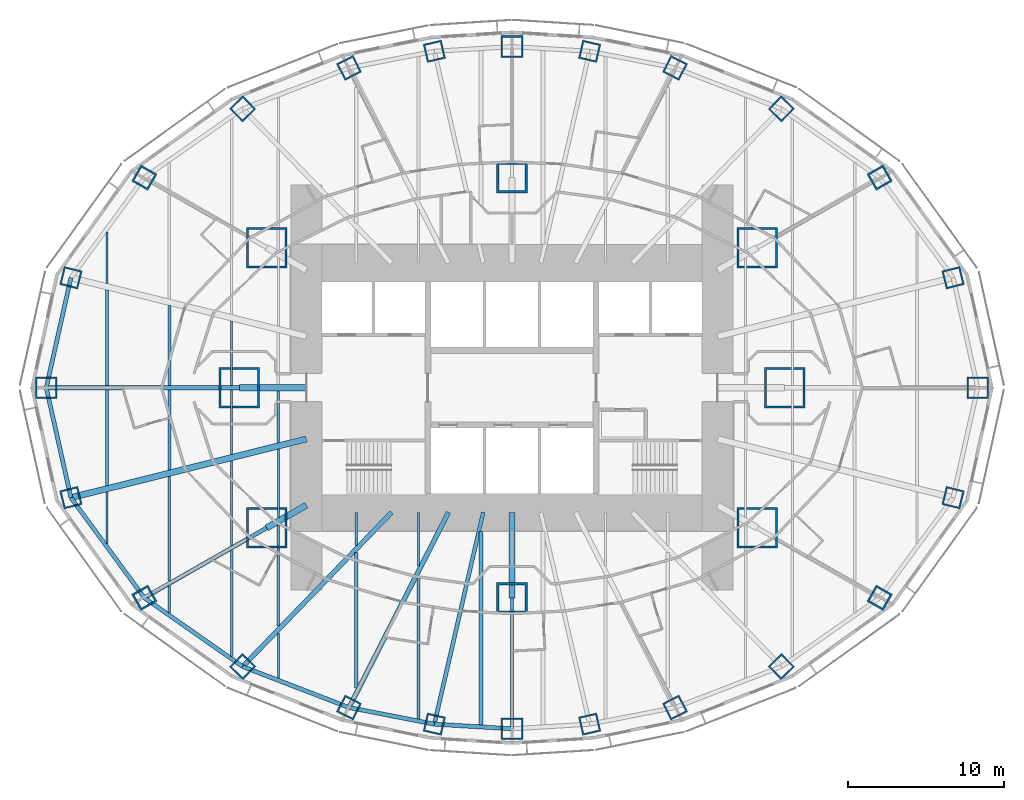
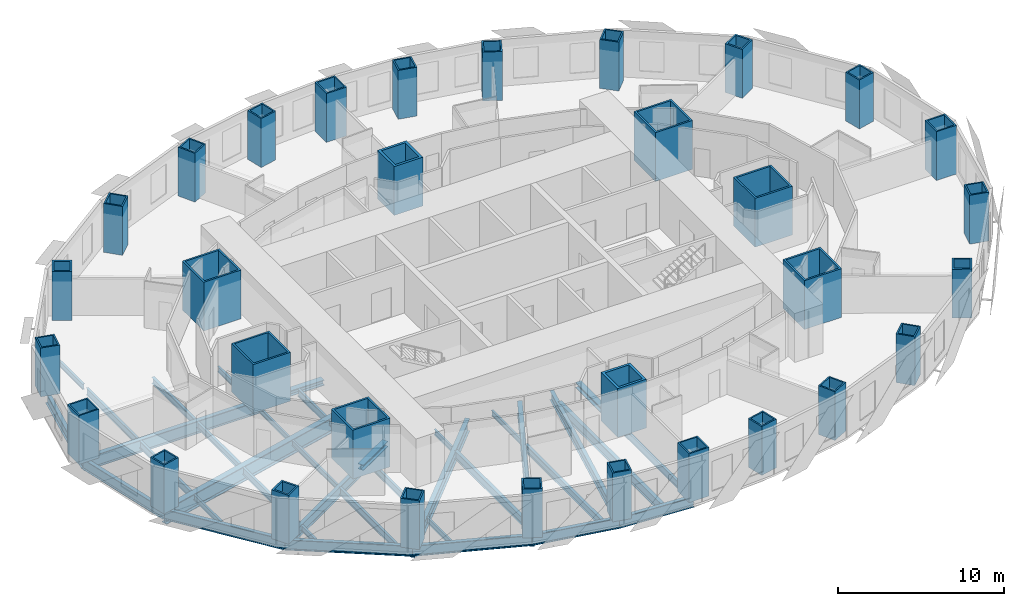
# One storey, part 1 of 15: 38 beams, 32 columns.
"""IFC4 building model written with IfcOpenShell, lengths in metres."""

import ifcopenshell
import ifcopenshell.guid

model = None  # the IFC model being written
_history = None  # IfcOwnerHistory: only IFC2X3 demands one
_inside = {}  # id of a spatial element -> (the spatial element, [elements in it])
_under = {}  # id of a project, library or spatial element -> (it, [spatial elements below it])
_declared = {}  # id of a project -> (the project, [libraries it declares])
_typed = {}  # id of a type object -> (the type object, [elements of that type])
_made_of = {}  # id of a material, layer set ... -> (it, [elements and type objects made of it])


def new_model(schema):
    """Start an empty IFC model of exactly this schema.

    Asked for "IFC4X3", IfcOpenShell would pick the latest addendum, in which some entities
    have other attributes; the version numbers below select the first issue.
    IFC2X3 requires an IfcOwnerHistory on every rooted entity: one is made here for all.
    """
    global model, _history
    if schema == "IFC4X3":
        model = ifcopenshell.file(schema_version=(4, 3, 0, 0))
    else:
        model = ifcopenshell.file(schema=schema)
    _inside.clear()
    _under.clear()
    _declared.clear()
    _typed.clear()
    _made_of.clear()
    _history = None
    if model.schema == "IFC2X3":
        org = make("IfcOrganization", Name="unknown")
        user = make(
            "IfcPersonAndOrganization",
            ThePerson=make("IfcPerson", FamilyName="unknown"),
            TheOrganization=org,
        )
        app = make(
            "IfcApplication",
            ApplicationDeveloper=org,
            Version="unknown",
            ApplicationFullName="unknown",
            ApplicationIdentifier="unknown",
        )
        _history = make(
            "IfcOwnerHistory",
            OwningUser=user,
            OwningApplication=app,
            ChangeAction="ADDED",
            CreationDate=0,
        )
    return model


def make(cls, **values):
    """One entity of the class cls with the attributes given. An attribute that is None is left unset."""
    return model.create_entity(
        cls, **{name: value for name, value in values.items() if value is not None}
    )


def rooted(cls, **values):
    """An entity with a GlobalId (a new one), such as an element, a storey or a relation."""
    return make(cls, GlobalId=ifcopenshell.guid.new(), OwnerHistory=_history, **values)


def si_unit(unit_type, name, prefix=None):
    """IfcSIUnit, for example si_unit("LENGTHUNIT", "METRE", prefix="MILLI")."""
    return make("IfcSIUnit", UnitType=unit_type, Prefix=prefix, Name=name)


def assignment(units):
    """IfcUnitAssignment: the units of a project."""
    return None if units is None else make("IfcUnitAssignment", Units=units)


def point(xyz):
    """IfcCartesianPoint."""
    return None if xyz is None else make("IfcCartesianPoint", Coordinates=xyz)


def direction(xyz):
    """IfcDirection."""
    return None if xyz is None else make("IfcDirection", DirectionRatios=xyz)


def frame(location, z_axis=None, x_axis=None):
    """IfcAxis2Placement3D, a coordinate frame: its origin and axes. An axis left out is left unset."""
    return make(
        "IfcAxis2Placement3D",
        Location=point(location),
        Axis=direction(z_axis),
        RefDirection=direction(x_axis),
    )


def frame_2d(location, x_axis=None):
    """IfcAxis2Placement2D, a coordinate frame in the plane: its origin and x axis."""
    return make(
        "IfcAxis2Placement2D", Location=point(location), RefDirection=direction(x_axis)
    )


def origin():
    """The frame at (0, 0, 0) with its axes left unset."""
    return frame((0.0, 0.0, 0.0))


def origin_2d():
    """The frame at (0, 0) in the plane with its x axis left unset."""
    return frame_2d((0.0, 0.0))


def place(relative_to, where):
    """IfcLocalPlacement: puts the frame where relative to a parent placement (None: the world)."""
    return make(
        "IfcLocalPlacement", PlacementRelTo=relative_to, RelativePlacement=where
    )


def context(
    kind, dimensions, precision=None, world=None, true_north=None, identifier=None
):
    """IfcGeometricRepresentationContext, for example the 3D "Model" context."""
    return make(
        "IfcGeometricRepresentationContext",
        ContextIdentifier=identifier,
        ContextType=kind,
        CoordinateSpaceDimension=dimensions,
        Precision=precision,
        WorldCoordinateSystem=world,
        TrueNorth=true_north,
    )


def subcontext(parent, identifier, kind, view, scale=None):
    """IfcGeometricRepresentationSubContext, for example "Body" below "Model"."""
    return make(
        "IfcGeometricRepresentationSubContext",
        ContextIdentifier=identifier,
        ContextType=kind,
        ParentContext=parent,
        TargetScale=scale,
        TargetView=view,
    )


def project(units=None, contexts=None):
    """IfcProject with its units and contexts."""
    return rooted(
        "IfcProject",
        Name="project",
        RepresentationContexts=contexts,
        UnitsInContext=assignment(units),
    )


def spatial(cls, under=None, at=None, **own):
    """A site, building, storey or space (cls), placed at a placement, below another one or the project."""
    s = rooted(cls, ObjectPlacement=at, **own)
    if under is not None:
        _under.setdefault(under.id(), (under, []))[1].append(s)
    return s


def profile(cls, at=None, kind="AREA", **sizes):
    """A parametric profile (cls). Its sizes go by their IFC names, for example OverallWidth=200.0."""
    return make(cls, ProfileType=kind, Position=at, **sizes)


def rectangle(**sizes):
    """IfcRectangleProfileDef."""
    return profile("IfcRectangleProfileDef", **sizes)


def hollow_rectangle(**sizes):
    """IfcRectangleHollowProfileDef."""
    return profile("IfcRectangleHollowProfileDef", **sizes)


def i_section(**sizes):
    """IfcIShapeProfileDef."""
    return profile("IfcIShapeProfileDef", **sizes)


def extrude(swept, where, along, depth):
    """IfcExtrudedAreaSolid: the profile swept, set in the frame where, extruded along a direction by depth."""
    return make(
        "IfcExtrudedAreaSolid",
        SweptArea=swept,
        Position=where,
        ExtrudedDirection=direction(along),
        Depth=depth,
    )


def shape(context_of_items, identifier, shape_type, items):
    """IfcShapeRepresentation: the items that make up one representation, for example the "Body"."""
    return make(
        "IfcShapeRepresentation",
        ContextOfItems=context_of_items,
        RepresentationIdentifier=identifier,
        RepresentationType=shape_type,
        Items=items,
    )


def material(Name=None, Category=None):
    """IfcMaterial."""
    return make("IfcMaterial", Name=Name, Category=Category)


def material_profile(
    of_material, cross_section, Name=None, Category=None, Priority=None
):
    """IfcMaterialProfile: a cross section and its material."""
    return make(
        "IfcMaterialProfile",
        Name=Name,
        Material=of_material,
        Profile=cross_section,
        Priority=Priority,
        Category=Category,
    )


def profile_set(profiles, Name=None, composite=None):
    """IfcMaterialProfileSet."""
    return make(
        "IfcMaterialProfileSet",
        Name=Name,
        MaterialProfiles=profiles,
        CompositeProfile=composite,
    )


def made_of(thing, what):
    """Note that an element or type object is made of a material, layer set ...; save() writes the relation."""
    if what is not None:
        _made_of.setdefault(what.id(), (what, []))[1].append(thing)
    return thing


def type_object(cls, material=None, **own):
    """A type object (cls), such as IfcWallType, which elements share."""
    return made_of(rooted(cls, **own), material)


def element(
    cls,
    number,
    at=None,
    inside=None,
    cuts=None,
    type_object=None,
    material=None,
    context=None,
    identifier="Body",
    shape_type=None,
    held_by="IfcProductDefinitionShape",
    body=None,
    shapes=None,
    **own,
):
    """One element of the class cls, such as IfcWall. Its Tag is "e" and its number.

    at: its placement. inside: the storey or other place that contains it. cuts: it is an
    opening in that element (IfcRelVoidsElement). A single representation is given by context,
    identifier, shape_type and body (its items); several are given by shapes. held_by: the class
    of the entity that holds the representations. save() writes the other relations.
    """
    e = rooted(cls, Tag="e%d" % number, ObjectPlacement=at, **own)
    if body is not None:
        shapes = [shape(context, identifier, shape_type, body)]
    if shapes is not None:
        e.Representation = make(held_by, Representations=shapes)
    if inside is not None:
        _inside.setdefault(inside.id(), (inside, []))[1].append(e)
    if cuts is not None:
        rooted(
            "IfcRelVoidsElement", RelatingBuildingElement=cuts, RelatedOpeningElement=e
        )
    if type_object is not None:
        _typed.setdefault(type_object.id(), (type_object, []))[1].append(e)
    return made_of(e, material)


def aggregate(whole, parts):
    """IfcRelAggregates: a whole, such as a stair, and the parts it consists of."""
    return rooted("IfcRelAggregates", RelatingObject=whole, RelatedObjects=parts)


def save(model, path):
    """Write the relations noted so far, then the file.

    IfcRelAggregates (storeys below a building ...), IfcRelContainedInSpatialStructure (elements
    in a storey), IfcRelDefinesByType, IfcRelAssociatesMaterial and IfcRelDeclares: one each for
    every whole, place, type object, material and project.
    """
    for whole, parts in _under.values():
        aggregate(whole, parts)
    for where, things in _inside.values():
        rooted(
            "IfcRelContainedInSpatialStructure",
            RelatedElements=things,
            RelatingStructure=where,
        )
    for kind, things in _typed.values():
        rooted("IfcRelDefinesByType", RelatedObjects=things, RelatingType=kind)
    for what, things in _made_of.values():
        rooted("IfcRelAssociatesMaterial", RelatedObjects=things, RelatingMaterial=what)
    for by, libraries in _declared.values():
        rooted("IfcRelDeclares", RelatingContext=by, RelatedDefinitions=libraries)
    model.write(path)


model = new_model("IFC4")

# Units and contexts
model_context = context("Model", 3, precision=1e-05, world=origin(), true_north=direction((0.0, 1.0)))
body_context = subcontext(model_context, "Body", "Model", "MODEL_VIEW")
ifc_project = project(units=[si_unit("LENGTHUNIT", "METRE"), si_unit("AREAUNIT", "SQUARE_METRE"), si_unit("VOLUMEUNIT", "CUBIC_METRE"), si_unit("PLANEANGLEUNIT", "RADIAN"), si_unit("MASSUNIT", "GRAM", prefix="KILO")], contexts=[model_context])

# Site, building, storey
site_placement = place(None, origin())
site = spatial("IfcSite", under=ifc_project, at=site_placement, CompositionType="ELEMENT")
building_placement = place(site_placement, origin())
building = spatial("IfcBuilding", under=site, at=building_placement, Name="Lantaw Convention Tower", CompositionType="ELEMENT")
storey_placement = place(building_placement, frame((0.0, 0.0, 91.0)))
storey = spatial("IfcBuildingStorey", under=building, at=storey_placement, Name="L21", CompositionType="ELEMENT", Elevation=91.0)

# Columns
ifc_material_1 = material(Name="Steel EN 10025-3 S460N", Category="steel")
ifc_material_profile_1 = material_profile(ifc_material_1, hollow_rectangle(XDim=2.0, YDim=2.0, WallThickness=0.169921875, at=origin_2d()), Name="BOX2000X170")
ifc_material_2 = material(Name="Concrete C60/75", Category="concrete")
ifc_material_profile_2 = material_profile(ifc_material_2, rectangle(XDim=1.659912109375, YDim=1.659912109375, at=origin_2d()), Name="Concrete fill of BOX2000X170")
ifc_profile_set_1 = profile_set([ifc_material_profile_1, ifc_material_profile_2], Name="Steel EN 10025-3 S460N")
column_type_1 = type_object("IfcColumnType", Name="Column MC BOX2000X170", PredefinedType="COLUMN", material=ifc_profile_set_1)
for number, where, z_axis, x_axis, name in (
    (1, (0.0, 13.5, 0.0), (0.0, 0.0, 1.0), (1.0, 0.0, 0.0), "Mega column M3"),
    (2, (0.0, -13.5, 0.0), (0.0, 0.0, 1.0), (1.0, 0.0, 0.0), "Mega column M7"),
):
    element("IfcColumn", number, at=place(storey_placement, frame(where, z_axis=z_axis, x_axis=x_axis)), inside=storey, type_object=column_type_1, Name=name, PredefinedType="COLUMN", context=body_context, shape_type="SweptSolid", body=[
        extrude(hollow_rectangle(XDim=2.0, YDim=2.0, WallThickness=0.169921875, at=origin_2d()), origin(), (0.0, 0.0, 1.0), 3.60009765625),
    ])
ifc_material_profile_3 = material_profile(ifc_material_1, hollow_rectangle(XDim=2.60009765625, YDim=2.60009765625, WallThickness=0.1298828125, at=origin_2d()), Name="BOX2600X130")
ifc_material_profile_4 = material_profile(ifc_material_2, rectangle(XDim=2.340087890625, YDim=2.340087890625, at=origin_2d()), Name="Concrete fill of BOX2600X130")
ifc_profile_set_2 = profile_set([ifc_material_profile_3, ifc_material_profile_4], Name="Steel EN 10025-3 S460N")
column_type_2 = type_object("IfcColumnType", Name="Column MC BOX2600X130", PredefinedType="COLUMN", material=ifc_profile_set_2)
for number, where, z_axis, x_axis, name in (
    (3, (17.5, 0.0, 0.0), (0.0, 0.0, 1.0), (1.0, 0.0, 0.0), "Mega column M1"),
    (4, (15.75, 9.0, 0.0), (0.0, 0.0, 1.0), (1.0, 0.0, 0.0), "Mega column M2"),
    (5, (-15.75, 9.0, 0.0), (0.0, 0.0, 1.0), (1.0, 0.0, 0.0), "Mega column M4"),
    (6, (-17.5, 0.0, 0.0), (0.0, 0.0, 1.0), (1.0, 0.0, 0.0), "Mega column M5"),
    (7, (-15.75, -9.0, 0.0), (0.0, 0.0, 1.0), (1.0, 0.0, 0.0), "Mega column M6"),
    (8, (15.75, -9.0, 0.0), (0.0, 0.0, 1.0), (1.0, 0.0, 0.0), "Mega column M8"),
):
    element("IfcColumn", number, at=place(storey_placement, frame(where, z_axis=z_axis, x_axis=x_axis)), inside=storey, type_object=column_type_2, Name=name, PredefinedType="COLUMN", context=body_context, shape_type="SweptSolid", body=[
        extrude(hollow_rectangle(XDim=2.60009765625, YDim=2.60009765625, WallThickness=0.1298828125, at=origin_2d()), origin(), (0.0, 0.0, 1.0), 3.60009765625),
    ])
ifc_material_profile_5 = material_profile(ifc_material_1, hollow_rectangle(XDim=1.199951171875, YDim=1.199951171875, WallThickness=0.10009765625, at=origin_2d()), Name="BOX1200X100")
ifc_material_profile_6 = material_profile(ifc_material_2, rectangle(XDim=1.0, YDim=1.0, at=origin_2d()), Name="Concrete fill of BOX1200X100")
ifc_profile_set_3 = profile_set([ifc_material_profile_5, ifc_material_profile_6], Name="Steel EN 10025-3 S460N")
column_type_3 = type_object("IfcColumnType", Name="Column PC BOX1200X100", PredefinedType="COLUMN", material=ifc_profile_set_3)
for number, where, z_axis, x_axis, name in (
    (9, (28.31787109375, 7.060302734375, 0.0), (0.0, 0.0, 1.0), (0.970295726276, 0.2419218956, 0.0), "Perimeter column P2"),
    (10, (17.290771484375, 17.9052734375, 0.0), (0.0, 0.0, 1.0), (0.694658370459, 0.719339800339, 0.0), "Perimeter column P4"),
    (11, (10.462646484375, 20.533935546875, 0.0), (0.0, 0.0, 1.0), (0.45399049974, 0.891006524188, 0.0), "Perimeter column P5"),
    (12, (4.986328125, 21.59814453125, 0.0), (0.0, 0.0, 1.0), (0.224951054344, 0.974370064785, 0.0), "Perimeter column P6"),
    (13, (-4.986328125, 21.59814453125, 0.0), (0.0, 0.0, 1.0), (0.974370064785, 0.224951054344, 0.0), "Perimeter column P8"),
    (14, (-10.462646484375, 20.533935546875, 0.0), (0.0, 0.0, 1.0), (0.891006524188, 0.45399049974, 0.0), "Perimeter column P9"),
    (15, (-17.290771484375, 17.9052734375, 0.0), (0.0, 0.0, 1.0), (0.719339800339, 0.694658370459, 0.0), "Perimeter column P10"),
    (16, (-28.31787109375, 7.060302734375, 0.0), (0.0, 0.0, 1.0), (0.2419218956, 0.970295726276, 0.0), "Perimeter column P12"),
    (17, (-28.31787109375, -7.060302734375, 0.0), (0.0, 0.0, 1.0), (0.970295726276, 0.2419218956, 0.0), "Perimeter column P14"),
    (18, (-17.290771484375, -17.9052734375, 0.0), (0.0, 0.0, 1.0), (0.694658370459, 0.719339800339, 0.0), "Perimeter column P16"),
    (19, (-10.462646484375, -20.533935546875, 0.0), (0.0, 0.0, 1.0), (0.45399049974, 0.891006524188, 0.0), "Perimeter column P17"),
    (20, (-4.986328125, -21.59814453125, 0.0), (0.0, 0.0, 1.0), (0.224951054344, 0.974370064785, 0.0), "Perimeter column P18"),
    (21, (4.986328125, -21.59814453125, 0.0), (0.0, 0.0, 1.0), (0.974370064785, 0.224951054344, 0.0), "Perimeter column P20"),
    (22, (10.462646484375, -20.533935546875, 0.0), (0.0, 0.0, 1.0), (0.891006524188, 0.45399049974, 0.0), "Perimeter column P21"),
    (23, (17.290771484375, -17.9052734375, 0.0), (0.0, 0.0, 1.0), (0.719339800339, 0.694658370459, 0.0), "Perimeter column P22"),
    (24, (28.31787109375, -7.060302734375, 0.0), (0.0, 0.0, 1.0), (0.2419218956, 0.970295726276, 0.0), "Perimeter column P24"),
):
    element("IfcColumn", number, at=place(storey_placement, frame(where, z_axis=z_axis, x_axis=x_axis)), inside=storey, type_object=column_type_3, Name=name, PredefinedType="COLUMN", context=body_context, shape_type="SweptSolid", body=[
        extrude(hollow_rectangle(XDim=1.199951171875, YDim=1.199951171875, WallThickness=0.10009765625, at=origin_2d()), origin(), (0.0, 0.0, 1.0), 3.60009765625),
    ])
ifc_material_profile_7 = material_profile(ifc_material_1, hollow_rectangle(XDim=1.199951171875, YDim=1.199951171875, WallThickness=0.1201171875, at=origin_2d()), Name="BOX1200X120")
ifc_material_profile_8 = material_profile(ifc_material_2, rectangle(XDim=0.9599609375, YDim=0.9599609375, at=origin_2d()), Name="Concrete fill of BOX1200X120")
ifc_profile_set_4 = profile_set([ifc_material_profile_7, ifc_material_profile_8], Name="Steel EN 10025-3 S460N")
column_type_4 = type_object("IfcColumnType", Name="Column PC BOX1200X120", PredefinedType="COLUMN", material=ifc_profile_set_4)
for number, where, z_axis, x_axis, name in (
    (25, (23.60498046875, 13.488525390625, 0.0), (0.0, 0.0, 1.0), (0.86824298017, 0.496139221777, 0.0), "Perimeter column P3"),
    (26, (-23.60498046875, 13.488525390625, 0.0), (0.0, 0.0, 1.0), (0.496139221777, 0.86824298017, 0.0), "Perimeter column P11"),
    (27, (-23.60498046875, -13.488525390625, 0.0), (0.0, 0.0, 1.0), (0.86824298017, 0.496139221777, 0.0), "Perimeter column P15"),
    (28, (23.60498046875, -13.488525390625, 0.0), (0.0, 0.0, 1.0), (0.496139221777, 0.86824298017, 0.0), "Perimeter column P23"),
):
    element("IfcColumn", number, at=place(storey_placement, frame(where, z_axis=z_axis, x_axis=x_axis)), inside=storey, type_object=column_type_4, Name=name, PredefinedType="COLUMN", context=body_context, shape_type="SweptSolid", body=[
        extrude(hollow_rectangle(XDim=1.199951171875, YDim=1.199951171875, WallThickness=0.1201171875, at=origin_2d()), origin(), (0.0, 0.0, 1.0), 3.60009765625),
    ])
ifc_material_profile_9 = material_profile(ifc_material_1, hollow_rectangle(XDim=1.39990234375, YDim=1.39990234375, WallThickness=0.10009765625, at=origin_2d()), Name="BOX1400X100")
ifc_material_profile_10 = material_profile(ifc_material_2, rectangle(XDim=1.199951171875, YDim=1.199951171875, at=origin_2d()), Name="Concrete fill of BOX1400X100")
ifc_profile_set_5 = profile_set([ifc_material_profile_9, ifc_material_profile_10], Name="Steel EN 10025-3 S460N")
column_type_5 = type_object("IfcColumnType", Name="Column PC BOX1400X100", PredefinedType="COLUMN", material=ifc_profile_set_5)
for number, where, z_axis, x_axis, name in (
    (29, (29.89990234375, 0.0, 0.0), (0.0, 0.0, 1.0), (1.0, 0.0, 0.0), "Perimeter column P1"),
    (30, (0.0, 21.89990234375, 0.0), (0.0, 0.0, 1.0), (1.0, 0.0, 0.0), "Perimeter column P7"),
    (31, (-29.89990234375, 0.0, 0.0), (0.0, 0.0, 1.0), (1.0, 0.0, 0.0), "Perimeter column P13"),
    (32, (0.0, -21.89990234375, 0.0), (0.0, 0.0, 1.0), (1.0, 0.0, 0.0), "Perimeter column P19"),
):
    element("IfcColumn", number, at=place(storey_placement, frame(where, z_axis=z_axis, x_axis=x_axis)), inside=storey, type_object=column_type_5, Name=name, PredefinedType="COLUMN", context=body_context, shape_type="SweptSolid", body=[
        extrude(hollow_rectangle(XDim=1.39990234375, YDim=1.39990234375, WallThickness=0.10009765625, at=origin_2d()), origin(), (0.0, 0.0, 1.0), 3.60009765625),
    ])

# Beams
ifc_material_3 = material(Name="Steel ASTM A992", Category="steel")
ifc_material_profile_11 = material_profile(ifc_material_3, i_section(OverallWidth=0.2666015625, OverallDepth=0.76953125, WebThickness=0.015625, FlangeThickness=0.025390625, FilletRadius=0.0126953125, at=origin_2d()), Name="W30X132")
ifc_profile_set_6 = profile_set([ifc_material_profile_11], Name="Steel ASTM A992")
beam_type_1 = type_object("IfcBeamType", Name="Beam E W30X132", PredefinedType="SPANDREL", material=ifc_profile_set_6)
for number, where, z_axis, x_axis, name in (
    (33, (-28.31787109375, 7.060302734375, -0.534912109375), (-0.218652184873, -0.975802860239, 0.0), (0.975802860239, -0.218652184873, 0.0), "Edge beam 12"),
    (34, (-29.89990234375, 0.0, -0.534912109375), (0.218652184873, -0.975802860239, 0.0), (0.975802860239, 0.218652184873, 0.0), "Edge beam 13"),
):
    element("IfcBeam", number, at=place(storey_placement, frame(where, z_axis=z_axis, x_axis=x_axis)), inside=storey, type_object=beam_type_1, Name=name, PredefinedType="SPANDREL", context=body_context, shape_type="SweptSolid", body=[
        extrude(i_section(OverallWidth=0.2666015625, OverallDepth=0.76953125, WebThickness=0.015625, FlangeThickness=0.025390625, FilletRadius=0.0126953125, at=origin_2d()), origin(), (0.0, 0.0, 1.0), 7.2353515625),
    ])
beam_1_placement = place(storey_placement, frame((-28.31787109375, -7.060302734375, -0.534912109375), z_axis=(0.591270709086, -0.806473154281, 0.0), x_axis=(0.806473154281, 0.591270709086, 0.0)))
element("IfcBeam", 35, at=beam_1_placement, inside=storey, type_object=beam_type_1, Name="Edge beam 14", PredefinedType="SPANDREL", context=body_context, shape_type="SweptSolid", body=[
    extrude(i_section(OverallWidth=0.2666015625, OverallDepth=0.76953125, WebThickness=0.015625, FlangeThickness=0.025390625, FilletRadius=0.0126953125, at=origin_2d()), origin(), (0.0, 0.0, 1.0), 7.970703125),
])
beam_2_placement = place(storey_placement, frame((-23.60498046875, -13.488525390625, -0.534912109375), z_axis=(0.81942686407, -0.57318375277, 0.0), x_axis=(0.57318375277, 0.81942686407, 0.0)))
element("IfcBeam", 36, at=beam_2_placement, inside=storey, type_object=beam_type_1, Name="Edge beam 15", PredefinedType="SPANDREL", context=body_context, shape_type="SweptSolid", body=[
    extrude(i_section(OverallWidth=0.2666015625, OverallDepth=0.76953125, WebThickness=0.015625, FlangeThickness=0.025390625, FilletRadius=0.0126953125, at=origin_2d()), origin(), (0.0, 0.0, 1.0), 7.70556640625),
])
beam_3_placement = place(storey_placement, frame((-17.290771484375, -17.9052734375, -0.534912109375), z_axis=(0.933232900641, -0.359271976588, 0.0), x_axis=(0.359271976588, 0.933232900641, 0.0)))
element("IfcBeam", 37, at=beam_3_placement, inside=storey, type_object=beam_type_1, Name="Edge beam 16", PredefinedType="SPANDREL", context=body_context, shape_type="SweptSolid", body=[
    extrude(i_section(OverallWidth=0.2666015625, OverallDepth=0.76953125, WebThickness=0.015625, FlangeThickness=0.025390625, FilletRadius=0.0126953125, at=origin_2d()), origin(), (0.0, 0.0, 1.0), 7.316650390625),
])
beam_4_placement = place(storey_placement, frame((-10.462646484375, -20.533935546875, -0.534912109375), z_axis=(0.981636565323, -0.190760723474, 0.0), x_axis=(0.190760723474, 0.981636565323, 0.0)))
element("IfcBeam", 38, at=beam_4_placement, inside=storey, type_object=beam_type_1, Name="Edge beam 17", PredefinedType="SPANDREL", context=body_context, shape_type="SweptSolid", body=[
    extrude(i_section(OverallWidth=0.2666015625, OverallDepth=0.76953125, WebThickness=0.015625, FlangeThickness=0.025390625, FilletRadius=0.0126953125, at=origin_2d()), origin(), (0.0, 0.0, 1.0), 5.578857421875),
])
beam_5_placement = place(storey_placement, frame((-4.986328125, -21.59814453125, -0.534912109375), z_axis=(0.998173858406, -0.060406526096, 0.0), x_axis=(0.060406526096, 0.998173858406, 0.0)))
element("IfcBeam", 39, at=beam_5_placement, inside=storey, type_object=beam_type_1, Name="Edge beam 18", PredefinedType="SPANDREL", context=body_context, shape_type="SweptSolid", body=[
    extrude(i_section(OverallWidth=0.2666015625, OverallDepth=0.76953125, WebThickness=0.015625, FlangeThickness=0.025390625, FilletRadius=0.0126953125, at=origin_2d()), origin(), (0.0, 0.0, 1.0), 4.995361328125),
])
ifc_material_profile_12 = material_profile(ifc_material_3, i_section(OverallWidth=0.1650390625, OverallDepth=0.52587890625, WebThickness=0.0087890625, FlangeThickness=0.011474609375, FilletRadius=0.0126953125, at=origin_2d()), Name="W21X44")
ifc_profile_set_7 = profile_set([ifc_material_profile_12], Name="Steel ASTM A992")
beam_type_2 = type_object("IfcBeamType", Name="Beam G W21X44", PredefinedType="BEAM", material=ifc_profile_set_7)
beam_6_placement = place(storey_placement, frame((0.0, -13.5, -0.412841796875), z_axis=(0.0, -1.0, 0.0), x_axis=(1.0, 0.0, 0.0)))
element("IfcBeam", 40, at=beam_6_placement, inside=storey, type_object=beam_type_2, Name="Floor girder on ray 19", PredefinedType="BEAM", context=body_context, shape_type="SweptSolid", body=[
    extrude(i_section(OverallWidth=0.1650390625, OverallDepth=0.52587890625, WebThickness=0.0087890625, FlangeThickness=0.011474609375, FilletRadius=0.0126953125, at=origin_2d()), origin(), (0.0, 0.0, 1.0), 8.39990234375),
])
ifc_material_profile_13 = material_profile(ifc_material_3, i_section(OverallWidth=0.25390625, OverallDepth=0.683349609375, WebThickness=0.012451171875, FlangeThickness=0.01904296875, FilletRadius=0.01513671875, at=origin_2d()), Name="W27X94")
ifc_profile_set_8 = profile_set([ifc_material_profile_13], Name="Steel ASTM A992")
beam_type_3 = type_object("IfcBeamType", Name="Beam G W27X94", PredefinedType="BEAM", material=ifc_profile_set_8)
beam_7_placement = place(storey_placement, frame((-1.846923828125, -8.0, -0.49169921875), z_axis=(-0.224952773175, -0.97436966796, 0.0), x_axis=(0.97436966796, -0.224952773175, 0.0)))
element("IfcBeam", 41, at=beam_7_placement, inside=storey, type_object=beam_type_3, Name="Floor girder on ray 18", PredefinedType="BEAM", context=body_context, shape_type="SweptSolid", body=[
    extrude(i_section(OverallWidth=0.25390625, OverallDepth=0.683349609375, WebThickness=0.012451171875, FlangeThickness=0.01904296875, FilletRadius=0.01513671875, at=origin_2d()), origin(), (0.0, 0.0, 1.0), 13.955810546875),
])
ifc_material_profile_14 = material_profile(ifc_material_3, i_section(OverallWidth=0.2666015625, OverallDepth=0.7568359375, WebThickness=0.013916015625, FlangeThickness=0.019287109375, FilletRadius=0.0126953125, at=origin_2d()), Name="W30X108")
ifc_profile_set_9 = profile_set([ifc_material_profile_14], Name="Steel ASTM A992")
beam_type_4 = type_object("IfcBeamType", Name="Beam G W30X108", PredefinedType="BEAM", material=ifc_profile_set_9)
beam_8_placement = place(storey_placement, frame((-15.75, -9.0, -0.528564453125), z_axis=(-0.868244802791, -0.496136032179, 0.0), x_axis=(0.496136032179, -0.868244802791, 0.0)))
element("IfcBeam", 42, at=beam_8_placement, inside=storey, type_object=beam_type_4, Name="Floor girder on ray 15", PredefinedType="BEAM", context=body_context, shape_type="SweptSolid", body=[
    extrude(i_section(OverallWidth=0.2666015625, OverallDepth=0.7568359375, WebThickness=0.013916015625, FlangeThickness=0.019287109375, FilletRadius=0.0126953125, at=origin_2d()), origin(), (0.0, 0.0, 1.0), 9.046875),
])
ifc_material_profile_15 = material_profile(ifc_material_3, i_section(OverallWidth=0.307373046875, OverallDepth=0.922119140625, WebThickness=0.018310546875, FlangeThickness=0.030029296875, FilletRadius=0.0126953125, at=origin_2d()), Name="W36X182")
ifc_profile_set_10 = profile_set([ifc_material_profile_15], Name="Steel ASTM A992")
beam_type_5 = type_object("IfcBeamType", Name="Beam G W36X182", PredefinedType="BEAM", material=ifc_profile_set_10)
beam_9_placement = place(storey_placement, frame((-17.5, 0.0, -0.611083984375), z_axis=(-1.0, 0.0, 0.0), x_axis=(0.0, -1.0, 0.0)))
element("IfcBeam", 43, at=beam_9_placement, inside=storey, type_object=beam_type_5, Name="Floor girder on ray 13", PredefinedType="BEAM", context=body_context, shape_type="SweptSolid", body=[
    extrude(i_section(OverallWidth=0.307373046875, OverallDepth=0.922119140625, WebThickness=0.018310546875, FlangeThickness=0.030029296875, FilletRadius=0.0126953125, at=origin_2d()), origin(), (0.0, 0.0, 1.0), 12.39990234375),
])
beam_10_placement = place(storey_placement, frame((-7.7255859375, -8.0, -0.611083984375), z_axis=(-0.694649884291, -0.719347995239, 0.0), x_axis=(0.719347995239, -0.694649884291, 0.0)))
element("IfcBeam", 44, at=beam_10_placement, inside=storey, type_object=beam_type_5, Name="Floor girder on ray 16", PredefinedType="BEAM", context=body_context, shape_type="SweptSolid", body=[
    extrude(i_section(OverallWidth=0.307373046875, OverallDepth=0.922119140625, WebThickness=0.018310546875, FlangeThickness=0.030029296875, FilletRadius=0.0126953125, at=origin_2d()), origin(), (0.0, 0.0, 1.0), 13.769775390625),
])
beam_11_placement = place(storey_placement, frame((-4.076171875, -8.0, -0.611083984375), z_axis=(-0.453997016122, -0.891003203896, 0.0), x_axis=(0.891003203896, -0.453997016122, 0.0)))
element("IfcBeam", 45, at=beam_11_placement, inside=storey, type_object=beam_type_5, Name="Floor girder on ray 17", PredefinedType="BEAM", context=body_context, shape_type="SweptSolid", body=[
    extrude(i_section(OverallWidth=0.307373046875, OverallDepth=0.922119140625, WebThickness=0.018310546875, FlangeThickness=0.030029296875, FilletRadius=0.0126953125, at=origin_2d()), origin(), (0.0, 0.0, 1.0), 14.067138671875),
])
ifc_material_profile_16 = material_profile(ifc_material_3, i_section(OverallWidth=0.40380859375, OverallDepth=1.11767578125, WebThickness=0.026123046875, FlangeThickness=0.044921875, FilletRadius=0.02001953125, at=origin_2d()), Name="W44X335")
ifc_profile_set_11 = profile_set([ifc_material_profile_16], Name="Steel ASTM A992")
beam_type_6 = type_object("IfcBeamType", Name="Beam G W44X335", PredefinedType="BEAM", material=ifc_profile_set_11)
beam_12_placement = place(storey_placement, frame((-13.199951171875, -3.291015625, -0.708740234375), z_axis=(-0.970296233567, -0.241919860957, 0.0), x_axis=(0.241919860957, -0.970296233567, 0.0)))
element("IfcBeam", 46, at=beam_12_placement, inside=storey, type_object=beam_type_6, Name="Floor girder on ray 14", PredefinedType="BEAM", context=body_context, shape_type="SweptSolid", body=[
    extrude(i_section(OverallWidth=0.40380859375, OverallDepth=1.11767578125, WebThickness=0.026123046875, FlangeThickness=0.044921875, FilletRadius=0.02001953125, at=origin_2d()), origin(), (0.0, 0.0, 1.0), 15.580810546875),
])
ifc_material_profile_17 = material_profile(ifc_material_3, i_section(OverallWidth=0.40380859375, OverallDepth=0.406494140625, WebThickness=0.027099609375, FlangeThickness=0.043701171875, FilletRadius=0.01513671875, at=origin_2d()), Name="W14X233")
ifc_profile_set_12 = profile_set([ifc_material_profile_17], Name="Steel ASTM A992")
beam_type_7 = type_object("IfcBeamType", Name="Beam GM W14X233", PredefinedType="BEAM", material=ifc_profile_set_12)
beam_13_placement = place(storey_placement, frame((-13.199951171875, 0.0, -0.353271484375), z_axis=(-1.0, 0.0, 0.0), x_axis=(0.0, -1.0, 0.0)))
element("IfcBeam", 47, at=beam_13_placement, inside=storey, type_object=beam_type_7, Name="Core link beam on ray 13", PredefinedType="BEAM", context=body_context, shape_type="SweptSolid", body=[
    extrude(i_section(OverallWidth=0.40380859375, OverallDepth=0.406494140625, WebThickness=0.027099609375, FlangeThickness=0.043701171875, FilletRadius=0.01513671875, at=origin_2d()), origin(), (0.0, 0.0, 1.0), 4.300048828125),
])
beam_14_placement = place(storey_placement, frame((-13.199951171875, -7.54296875, -0.353271484375), z_axis=(-0.868263603466, -0.496103129295, 0.0), x_axis=(0.496103129295, -0.868263603466, 0.0)))
element("IfcBeam", 48, at=beam_14_placement, inside=storey, type_object=beam_type_7, Name="Core link beam on ray 15", PredefinedType="BEAM", context=body_context, shape_type="SweptSolid", body=[
    extrude(i_section(OverallWidth=0.40380859375, OverallDepth=0.406494140625, WebThickness=0.027099609375, FlangeThickness=0.043701171875, FilletRadius=0.01513671875, at=origin_2d()), origin(), (0.0, 0.0, 1.0), 2.93701171875),
])
beam_15_placement = place(storey_placement, frame((0.0, -8.0, -0.353271484375), z_axis=(0.0, -1.0, 0.0), x_axis=(1.0, 0.0, 0.0)))
element("IfcBeam", 49, at=beam_15_placement, inside=storey, type_object=beam_type_7, Name="Core link beam on ray 19", PredefinedType="BEAM", context=body_context, shape_type="SweptSolid", body=[
    extrude(i_section(OverallWidth=0.40380859375, OverallDepth=0.406494140625, WebThickness=0.027099609375, FlangeThickness=0.043701171875, FilletRadius=0.01513671875, at=origin_2d()), origin(), (0.0, 0.0, 1.0), 5.5),
])
ifc_material_profile_18 = material_profile(ifc_material_3, i_section(OverallWidth=0.140380859375, OverallDepth=0.40380859375, WebThickness=0.007080078125, FlangeThickness=0.01123046875, FilletRadius=0.01025390625, at=origin_2d()), Name="W16X31")
ifc_profile_set_13 = profile_set([ifc_material_profile_18], Name="Steel ASTM A992")
beam_type_8 = type_object("IfcBeamType", Name="Beam J W16X31", PredefinedType="JOIST", material=ifc_profile_set_13)
for number, where, z_axis, x_axis, name in (
    (50, (-26.0, -9.996337890625, -0.35205078125), (0.0, 1.0, 0.0), (-1.0, 0.0, 0.0), "Floor joist"),
    (51, (-26.0, 6.690673828125, -0.35205078125), (0.0, 1.0, 0.0), (-1.0, 0.0, 0.0), "Floor joist"),
):
    element("IfcBeam", number, at=place(storey_placement, frame(where, z_axis=z_axis, x_axis=x_axis)), inside=storey, type_object=beam_type_8, Name=name, PredefinedType="JOIST", context=body_context, shape_type="SweptSolid", body=[
        extrude(i_section(OverallWidth=0.140380859375, OverallDepth=0.40380859375, WebThickness=0.007080078125, FlangeThickness=0.01123046875, FilletRadius=0.01025390625, at=origin_2d()), origin(), (0.0, 0.0, 1.0), 3.3056640625),
    ])
beam_16_placement = place(storey_placement, frame((-22.0, -14.448486328125, -0.35205078125), z_axis=(0.0, 1.0, 0.0), x_axis=(-1.0, 0.0, 0.0)))
element("IfcBeam", 52, at=beam_16_placement, inside=storey, type_object=beam_type_8, Name="Floor joist", PredefinedType="JOIST", context=body_context, shape_type="SweptSolid", body=[
    extrude(i_section(OverallWidth=0.140380859375, OverallDepth=0.40380859375, WebThickness=0.007080078125, FlangeThickness=0.01123046875, FilletRadius=0.01025390625, at=origin_2d()), origin(), (0.0, 0.0, 1.0), 1.723388671875),
])
beam_17_placement = place(storey_placement, frame((-18.0, -10.132080078125, -0.35205078125), z_axis=(0.0, 1.0, 0.0), x_axis=(-1.0, 0.0, 0.0)))
element("IfcBeam", 53, at=beam_17_placement, inside=storey, type_object=beam_type_8, Name="Floor joist", PredefinedType="JOIST", context=body_context, shape_type="SweptSolid", body=[
    extrude(i_section(OverallWidth=0.140380859375, OverallDepth=0.40380859375, WebThickness=0.007080078125, FlangeThickness=0.01123046875, FilletRadius=0.01025390625, at=origin_2d()), origin(), (0.0, 0.0, 1.0), 5.43603515625),
])
for number, where, z_axis, x_axis, name in (
    (54, (-18.0, -4.27978515625, -0.35205078125), (0.0, 1.0, 0.0), (-1.0, 0.0, 0.0), "Floor joist"),
    (55, (-18.0, 0.153564453125, -0.35205078125), (0.0, 1.0, 0.0), (-1.0, 0.0, 0.0), "Floor joist"),
):
    element("IfcBeam", number, at=place(storey_placement, frame(where, z_axis=z_axis, x_axis=x_axis)), inside=storey, type_object=beam_type_8, Name=name, PredefinedType="JOIST", context=body_context, shape_type="SweptSolid", body=[
        extrude(i_section(OverallWidth=0.140380859375, OverallDepth=0.40380859375, WebThickness=0.007080078125, FlangeThickness=0.01123046875, FilletRadius=0.01025390625, at=origin_2d()), origin(), (0.0, 0.0, 1.0), 4.126220703125),
    ])
beam_18_placement = place(storey_placement, frame((-15.0, -18.644287109375, -0.35205078125), z_axis=(0.0, 1.0, 0.0), x_axis=(-1.0, 0.0, 0.0)))
element("IfcBeam", 56, at=beam_18_placement, inside=storey, type_object=beam_type_8, Name="Floor joist", PredefinedType="JOIST", context=body_context, shape_type="SweptSolid", body=[
    extrude(i_section(OverallWidth=0.140380859375, OverallDepth=0.40380859375, WebThickness=0.007080078125, FlangeThickness=0.01123046875, FilletRadius=0.01025390625, at=origin_2d()), origin(), (0.0, 0.0, 1.0), 2.89013671875),
])
beam_19_placement = place(storey_placement, frame((-15.0, -8.3388671875, -0.35205078125), z_axis=(0.0, 1.0, 0.0), x_axis=(-1.0, 0.0, 0.0)))
element("IfcBeam", 57, at=beam_19_placement, inside=storey, type_object=beam_type_8, Name="Floor joist", PredefinedType="JOIST", context=body_context, shape_type="SweptSolid", body=[
    extrude(i_section(OverallWidth=0.140380859375, OverallDepth=0.40380859375, WebThickness=0.007080078125, FlangeThickness=0.01123046875, FilletRadius=0.01025390625, at=origin_2d()), origin(), (0.0, 0.0, 1.0), 4.390869140625),
])
beam_20_placement = place(storey_placement, frame((-10.0, -10.134033203125, -0.35205078125), z_axis=(0.0, 1.0, 0.0), x_axis=(-1.0, 0.0, 0.0)))
element("IfcBeam", 58, at=beam_20_placement, inside=storey, type_object=beam_type_8, Name="Floor joist", PredefinedType="JOIST", context=body_context, shape_type="SweptSolid", body=[
    extrude(i_section(OverallWidth=0.140380859375, OverallDepth=0.40380859375, WebThickness=0.007080078125, FlangeThickness=0.01123046875, FilletRadius=0.01025390625, at=origin_2d()), origin(), (0.0, 0.0, 1.0), 2.134033203125),
])
beam_21_placement = place(storey_placement, frame((-6.0, -11.437255859375, -0.35205078125), z_axis=(0.0, 1.0, 0.0), x_axis=(-1.0, 0.0, 0.0)))
element("IfcBeam", 59, at=beam_21_placement, inside=storey, type_object=beam_type_8, Name="Floor joist", PredefinedType="JOIST", context=body_context, shape_type="SweptSolid", body=[
    extrude(i_section(OverallWidth=0.140380859375, OverallDepth=0.40380859375, WebThickness=0.007080078125, FlangeThickness=0.01123046875, FilletRadius=0.01025390625, at=origin_2d()), origin(), (0.0, 0.0, 1.0), 3.437255859375),
])
ifc_material_profile_19 = material_profile(ifc_material_3, i_section(OverallWidth=0.1904296875, OverallDepth=0.457275390625, WebThickness=0.009033203125, FlangeThickness=0.014404296875, FilletRadius=0.01025390625, at=origin_2d()), Name="W18X50")
ifc_profile_set_14 = profile_set([ifc_material_profile_19], Name="Steel ASTM A992")
beam_type_9 = type_object("IfcBeamType", Name="Beam J W18X50", PredefinedType="JOIST", material=ifc_profile_set_14)
for number, where, z_axis, x_axis, name in (
    (60, (-22.0, -5.277099609375, -0.378662109375), (0.0, 1.0, 0.0), (-1.0, 0.0, 0.0), "Floor joist"),
    (61, (-22.0, 0.153564453125, -0.378662109375), (0.0, 1.0, 0.0), (-1.0, 0.0, 0.0), "Floor joist"),
):
    element("IfcBeam", number, at=place(storey_placement, frame(where, z_axis=z_axis, x_axis=x_axis)), inside=storey, type_object=beam_type_9, Name=name, PredefinedType="JOIST", context=body_context, shape_type="SweptSolid", body=[
        extrude(i_section(OverallWidth=0.1904296875, OverallDepth=0.457275390625, WebThickness=0.009033203125, FlangeThickness=0.014404296875, FilletRadius=0.01025390625, at=origin_2d()), origin(), (0.0, 0.0, 1.0), 5.12353515625),
    ])
ifc_material_profile_20 = material_profile(ifc_material_3, i_section(OverallWidth=0.1650390625, OverallDepth=0.52587890625, WebThickness=0.0087890625, FlangeThickness=0.011474609375, FilletRadius=0.0126953125, at=origin_2d()), Name="W21X44")
ifc_profile_set_15 = profile_set([ifc_material_profile_20], Name="Steel ASTM A992")
beam_type_10 = type_object("IfcBeamType", Name="Beam J W21X44", PredefinedType="JOIST", material=ifc_profile_set_15)
beam_22_placement = place(storey_placement, frame((-22.0, -12.41796875, -0.412841796875), z_axis=(0.0, 1.0, 0.0), x_axis=(-1.0, 0.0, 0.0)))
element("IfcBeam", 62, at=beam_22_placement, inside=storey, type_object=beam_type_10, Name="Floor joist", PredefinedType="JOIST", context=body_context, shape_type="SweptSolid", body=[
    extrude(i_section(OverallWidth=0.1650390625, OverallDepth=0.52587890625, WebThickness=0.0087890625, FlangeThickness=0.011474609375, FilletRadius=0.0126953125, at=origin_2d()), origin(), (0.0, 0.0, 1.0), 6.724609375),
])
beam_23_placement = place(storey_placement, frame((-18.0, -17.246337890625, -0.412841796875), z_axis=(0.0, 1.0, 0.0), x_axis=(-1.0, 0.0, 0.0)))
element("IfcBeam", 63, at=beam_23_placement, inside=storey, type_object=beam_type_10, Name="Floor joist", PredefinedType="JOIST", context=body_context, shape_type="SweptSolid", body=[
    extrude(i_section(OverallWidth=0.1650390625, OverallDepth=0.52587890625, WebThickness=0.0087890625, FlangeThickness=0.011474609375, FilletRadius=0.0126953125, at=origin_2d()), origin(), (0.0, 0.0, 1.0), 6.80712890625),
])
beam_24_placement = place(storey_placement, frame((-15.0, -15.311767578125, -0.412841796875), z_axis=(0.0, 1.0, 0.0), x_axis=(-1.0, 0.0, 0.0)))
element("IfcBeam", 64, at=beam_24_placement, inside=storey, type_object=beam_type_10, Name="Floor joist", PredefinedType="JOIST", context=body_context, shape_type="SweptSolid", body=[
    extrude(i_section(OverallWidth=0.1650390625, OverallDepth=0.52587890625, WebThickness=0.0087890625, FlangeThickness=0.011474609375, FilletRadius=0.0126953125, at=origin_2d()), origin(), (0.0, 0.0, 1.0), 6.5078125),
])
ifc_material_profile_21 = material_profile(ifc_material_3, i_section(OverallWidth=0.165771484375, OverallDepth=0.5283203125, WebThickness=0.009765625, FlangeThickness=0.013671875, FilletRadius=0.012939453125, at=origin_2d()), Name="W21X50")
ifc_profile_set_16 = profile_set([ifc_material_profile_21], Name="Steel ASTM A992")
beam_type_11 = type_object("IfcBeamType", Name="Beam J W21X50", PredefinedType="JOIST", material=ifc_profile_set_16)
for number, where, z_axis, x_axis, name in (
    (65, (-26.0, -6.2744140625, -0.4140625), (0.0, 1.0, 0.0), (-1.0, 0.0, 0.0), "Floor joist"),
    (66, (-26.0, 0.153564453125, -0.4140625), (0.0, 1.0, 0.0), (-1.0, 0.0, 0.0), "Floor joist"),
):
    element("IfcBeam", number, at=place(storey_placement, frame(where, z_axis=z_axis, x_axis=x_axis)), inside=storey, type_object=beam_type_11, Name=name, PredefinedType="JOIST", context=body_context, shape_type="SweptSolid", body=[
        extrude(i_section(OverallWidth=0.165771484375, OverallDepth=0.5283203125, WebThickness=0.009765625, FlangeThickness=0.013671875, FilletRadius=0.012939453125, at=origin_2d()), origin(), (0.0, 0.0, 1.0), 6.120849609375),
    ])
beam_25_placement = place(storey_placement, frame((-15.0, -3.53173828125, -0.4140625), z_axis=(0.0, 1.0, 0.0), x_axis=(-1.0, 0.0, 0.0)))
element("IfcBeam", 67, at=beam_25_placement, inside=storey, type_object=beam_type_11, Name="Floor joist", PredefinedType="JOIST", context=body_context, shape_type="SweptSolid", body=[
    extrude(i_section(OverallWidth=0.165771484375, OverallDepth=0.5283203125, WebThickness=0.009765625, FlangeThickness=0.013671875, FilletRadius=0.012939453125, at=origin_2d()), origin(), (0.0, 0.0, 1.0), 3.329833984375),
])
ifc_material_profile_22 = material_profile(ifc_material_3, i_section(OverallWidth=0.2099609375, OverallDepth=0.535888671875, WebThickness=0.010986328125, FlangeThickness=0.017333984375, FilletRadius=0.012939453125, at=origin_2d()), Name="W21X68")
ifc_profile_set_17 = profile_set([ifc_material_profile_22], Name="Steel ASTM A992")
beam_type_12 = type_object("IfcBeamType", Name="Beam J W21X68", PredefinedType="JOIST", material=ifc_profile_set_17)
beam_26_placement = place(storey_placement, frame((-6.0, -21.26513671875, -0.41796875), z_axis=(0.0, 1.0, 0.0), x_axis=(-1.0, 0.0, 0.0)))
element("IfcBeam", 68, at=beam_26_placement, inside=storey, type_object=beam_type_12, Name="Floor joist", PredefinedType="JOIST", context=body_context, shape_type="SweptSolid", body=[
    extrude(i_section(OverallWidth=0.2099609375, OverallDepth=0.535888671875, WebThickness=0.010986328125, FlangeThickness=0.017333984375, FilletRadius=0.012939453125, at=origin_2d()), origin(), (0.0, 0.0, 1.0), 9.15087890625),
])
ifc_material_profile_23 = material_profile(ifc_material_3, i_section(OverallWidth=0.227783203125, OverallDepth=0.60205078125, WebThickness=0.010498046875, FlangeThickness=0.014892578125, FilletRadius=0.012939453125, at=origin_2d()), Name="W24X68")
ifc_profile_set_18 = profile_set([ifc_material_profile_23], Name="Steel ASTM A992")
beam_type_13 = type_object("IfcBeamType", Name="Beam J W24X68", PredefinedType="JOIST", material=ifc_profile_set_18)
beam_27_placement = place(storey_placement, frame((-10.0, -19.28759765625, -0.450927734375), z_axis=(0.0, 1.0, 0.0), x_axis=(-1.0, 0.0, 0.0)))
element("IfcBeam", 69, at=beam_27_placement, inside=storey, type_object=beam_type_13, Name="Floor joist", PredefinedType="JOIST", context=body_context, shape_type="SweptSolid", body=[
    extrude(i_section(OverallWidth=0.227783203125, OverallDepth=0.60205078125, WebThickness=0.010498046875, FlangeThickness=0.014892578125, FilletRadius=0.012939453125, at=origin_2d()), origin(), (0.0, 0.0, 1.0), 8.711181640625),
])
ifc_material_profile_24 = material_profile(ifc_material_3, i_section(OverallWidth=0.25390625, OverallDepth=0.700927734375, WebThickness=0.015380859375, FlangeThickness=0.02783203125, FilletRadius=0.01513671875, at=origin_2d()), Name="W27X129")
ifc_profile_set_19 = profile_set([ifc_material_profile_24], Name="Steel ASTM A992")
beam_type_14 = type_object("IfcBeamType", Name="Beam J W27X129", PredefinedType="JOIST", material=ifc_profile_set_19)
beam_28_placement = place(storey_placement, frame((-2.0, -21.645263671875, -0.50048828125), z_axis=(0.0, 1.0, 0.0), x_axis=(-1.0, 0.0, 0.0)))
element("IfcBeam", 70, at=beam_28_placement, inside=storey, type_object=beam_type_14, Name="Floor joist", PredefinedType="JOIST", context=body_context, shape_type="SweptSolid", body=[
    extrude(i_section(OverallWidth=0.25390625, OverallDepth=0.700927734375, WebThickness=0.015380859375, FlangeThickness=0.02783203125, FilletRadius=0.01513671875, at=origin_2d()), origin(), (0.0, 0.0, 1.0), 12.417724609375),
])

save(model, "model.ifc")
